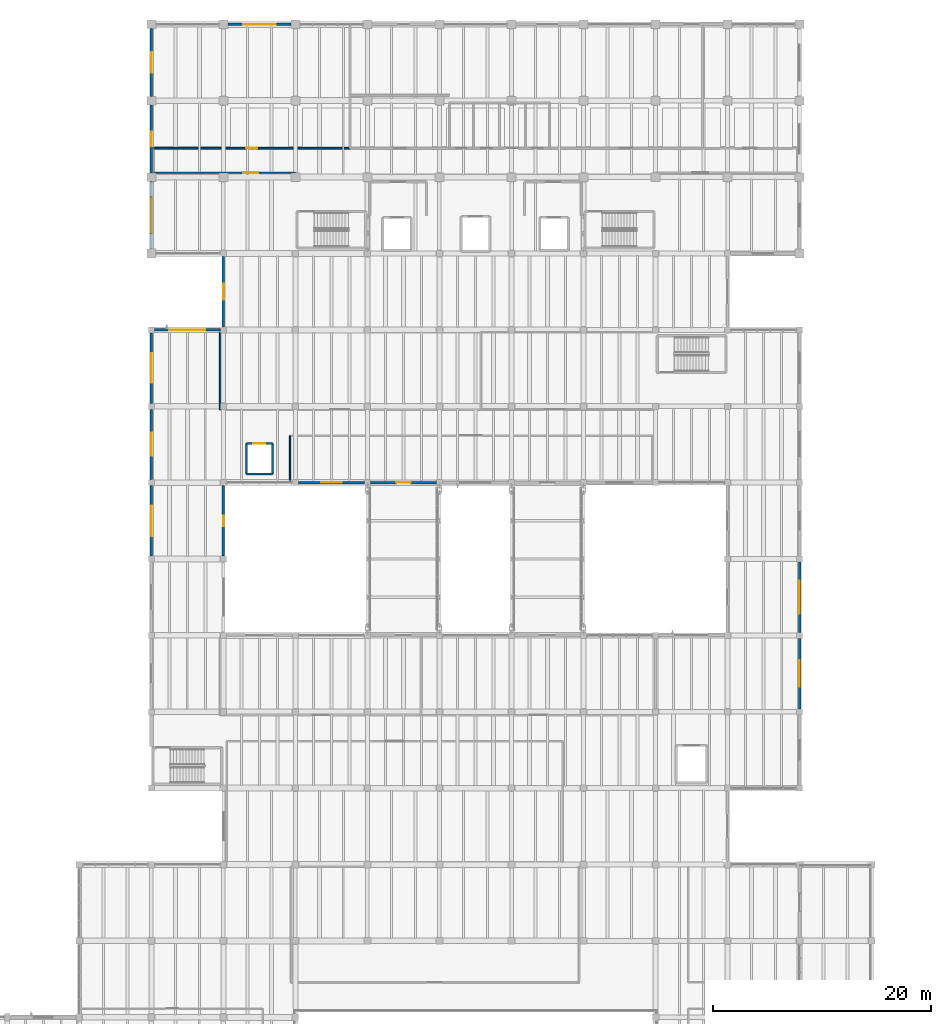
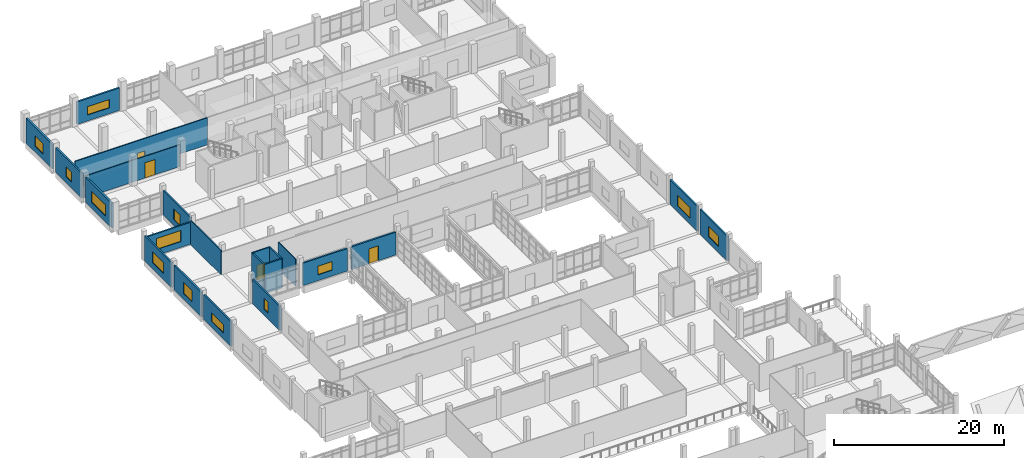
# One storey, part 52 of 67: 22 walls, 13 windows, 4 doors, 17 openings.
"""IFC4 building model written with IfcOpenShell, lengths in metres."""

from ifc_helpers import new_model, si_unit, direction, frame, frame_2d, origin, place, context, subcontext, project, spatial, rectangle, extrude, material, layer, layer_set, type_object, element, fill, save


model = new_model("IFC4")

# Units and contexts
model_context = context("Model", 3, precision=1e-05, world=origin(), true_north=direction((0.0, 1.0)))
body_context = subcontext(model_context, "Body", "Model", "MODEL_VIEW")
ifc_project = project(units=[si_unit("LENGTHUNIT", "METRE"), si_unit("AREAUNIT", "SQUARE_METRE"), si_unit("VOLUMEUNIT", "CUBIC_METRE"), si_unit("PLANEANGLEUNIT", "RADIAN"), si_unit("MASSUNIT", "GRAM", prefix="KILO")], contexts=[model_context])

# Site, building, storey
site_placement = place(None, origin())
site = spatial("IfcSite", under=ifc_project, at=site_placement, CompositionType="ELEMENT")
building_placement = place(site_placement, origin())
building = spatial("IfcBuilding", under=site, at=building_placement, Name="Ciguamira Faculty of Natural Sciences", CompositionType="ELEMENT")
storey_placement = place(building_placement, frame((0.0, 0.0, 8.39990234375)))
storey = spatial("IfcBuildingStorey", under=building, at=storey_placement, Name="L02", CompositionType="ELEMENT", Elevation=8.39990234375)

# Wall, opening, window
ifc_material_1 = material(Name="Precast concrete C40/50", Category="concrete")
ifc_layer_1 = layer(ifc_material_1, 0.239990234375, Name="Precast concrete C40/50")
ifc_layer_set_1 = layer_set([ifc_layer_1], Name="Precast concrete C40/50")
wall_type_1 = type_object("IfcWallType", Name="ExtWall_EW-02_240", PredefinedType="SOLIDWALL", material=ifc_layer_set_1)
wall_1_placement = place(storey_placement, frame((64.300048828125, 115.0, 0.0), z_axis=(0.0, 0.0, 1.0), x_axis=(1.0, 0.0, 0.0)))
wall_1 = element("IfcWall", 1, at=wall_1_placement, inside=storey, type_object=wall_type_1, Name="L02 exterior wall 0227", PredefinedType="SOLIDWALL", context=body_context, shape_type="SweptSolid", body=[
    extrude(rectangle(XDim=5.800048828125, YDim=0.239990234375, at=frame_2d((2.89990234375, 0.0))), origin(), (0.0, 0.0, 1.0), 3.235107421875),
])
opening_1_placement = place(wall_1_placement, frame((1.39990234375, 0.0, 0.85009765625)))
opening_1 = element("IfcOpeningElement", 2, at=opening_1_placement, cuts=wall_1, Name="Opening WT-33", PredefinedType="OPENING", context=body_context, shape_type="SweptSolid", body=[
    extrude(rectangle(XDim=3.0, YDim=1.199951171875, at=frame_2d((1.5, 0.60009765625))), frame((0.0, 0.1298828125, 0.0), z_axis=(0.0, -1.0, 0.0), x_axis=(1.0, 0.0, 0.0)), (0.0, 0.0, 1.0), 0.260009765625),
])
ifc_material_2 = material(Name="Hurricane laminated solar glass", Category="glass")
window_type_1 = type_object("IfcWindowType", Name="Window_WT-33_3000x1200", PartitioningType="DOUBLE_PANEL_VERTICAL", PredefinedType="WINDOW", material=ifc_material_2)
window_1_placement = place(opening_1_placement, origin())
window_1 = element("IfcWindow", 3, at=window_1_placement, inside=storey, type_object=window_type_1, Name="L02 facade window 0134", OverallHeight=1.199951171875, OverallWidth=3.0, PartitioningType="SINGLE_PANEL", PredefinedType="WINDOW", context=body_context, shape_type="SweptSolid", body=[
    extrude(rectangle(XDim=3.0, YDim=1.199951171875, at=frame_2d((1.5, 0.60009765625))), frame((0.0, 0.030029296875, 0.0), z_axis=(0.0, -1.0, 0.0), x_axis=(1.0, 0.0, 0.0)), (0.0, 0.0, 1.0), 0.06005859375),
])
fill(opening_1, window_1)

wall_2_placement = place(storey_placement, frame((57.300048828125, 94.39990234375, 0.0), z_axis=(0.0, 0.0, 1.0), x_axis=(0.0, 1.0, 0.0)))
wall_2 = element("IfcWall", 4, at=wall_2_placement, inside=storey, type_object=wall_type_1, Name="L02 exterior wall 0241", PredefinedType="SOLIDWALL", context=body_context, shape_type="SweptSolid", body=[
    extrude(rectangle(XDim=6.2001953125, YDim=0.239990234375, at=frame_2d((3.10009765625, 0.0))), origin(), (0.0, 0.0, 1.0), 3.565185546875),
])
opening_2_placement = place(wall_2_placement, frame((1.449951171875, 0.0, 0.85009765625)))
opening_2 = element("IfcOpeningElement", 5, at=opening_2_placement, cuts=wall_2, Name="Opening WT-26", PredefinedType="OPENING", context=body_context, shape_type="SweptSolid", body=[
    extrude(rectangle(XDim=3.300048828125, YDim=1.60009765625, at=frame_2d((1.64990234375, 0.800048828125))), frame((0.0, 0.1298828125, 0.0), z_axis=(0.0, -1.0, 0.0), x_axis=(1.0, 0.0, 0.0)), (0.0, 0.0, 1.0), 0.260009765625),
])
window_type_2 = type_object("IfcWindowType", Name="Window_WT-26_3300x1600", PartitioningType="DOUBLE_PANEL_VERTICAL", PredefinedType="WINDOW", material=ifc_material_2)
window_2_placement = place(opening_2_placement, origin())
window_2 = element("IfcWindow", 6, at=window_2_placement, inside=storey, type_object=window_type_2, Name="L02 facade window 0147", OverallHeight=1.60009765625, OverallWidth=3.300048828125, PartitioningType="SINGLE_PANEL", PredefinedType="WINDOW", context=body_context, shape_type="SweptSolid", body=[
    extrude(rectangle(XDim=3.300048828125, YDim=1.60009765625, at=frame_2d((1.64990234375, 0.800048828125))), frame((0.0, 0.030029296875, 0.0), z_axis=(0.0, -1.0, 0.0), x_axis=(1.0, 0.0, 0.0)), (0.0, 0.0, 1.0), 0.06005859375),
])
fill(opening_2, window_2)

wall_3_placement = place(storey_placement, frame((57.300048828125, 101.39990234375, 0.0), z_axis=(0.0, 0.0, 1.0), x_axis=(0.0, 1.0, 0.0)))
wall_3 = element("IfcWall", 7, at=wall_3_placement, inside=storey, type_object=wall_type_1, Name="L02 exterior wall 0242", PredefinedType="SOLIDWALL", context=body_context, shape_type="SweptSolid", body=[
    extrude(rectangle(XDim=6.2001953125, YDim=0.239990234375, at=frame_2d((3.10009765625, 0.0))), origin(), (0.0, 0.0, 1.0), 3.565185546875),
])
opening_3_placement = place(wall_3_placement, frame((2.449951171875, 0.0, 0.85009765625)))
opening_3 = element("IfcOpeningElement", 8, at=opening_3_placement, cuts=wall_3, Name="Opening WT-28", PredefinedType="OPENING", context=body_context, shape_type="SweptSolid", body=[
    extrude(rectangle(XDim=1.300048828125, YDim=1.449951171875, at=frame_2d((0.64990234375, 0.72509765625))), frame((0.0, 0.1298828125, 0.0), z_axis=(0.0, -1.0, 0.0), x_axis=(1.0, 0.0, 0.0)), (0.0, 0.0, 1.0), 0.260009765625),
])
window_type_3 = type_object("IfcWindowType", Name="Window_WT-28_1300x1450", PartitioningType="DOUBLE_PANEL_VERTICAL", PredefinedType="WINDOW", material=ifc_material_2)
window_3_placement = place(opening_3_placement, origin())
window_3 = element("IfcWindow", 9, at=window_3_placement, inside=storey, type_object=window_type_3, Name="L02 facade window 0148", OverallHeight=1.449951171875, OverallWidth=1.300048828125, PartitioningType="SINGLE_PANEL", PredefinedType="WINDOW", context=body_context, shape_type="SweptSolid", body=[
    extrude(rectangle(XDim=1.300048828125, YDim=1.449951171875, at=frame_2d((0.64990234375, 0.72509765625))), frame((0.0, 0.030029296875, 0.0), z_axis=(0.0, -1.0, 0.0), x_axis=(1.0, 0.0, 0.0)), (0.0, 0.0, 1.0), 0.06005859375),
])
fill(opening_3, window_3)

wall_4_placement = place(storey_placement, frame((57.300048828125, 108.39990234375, 0.0), z_axis=(0.0, 0.0, 1.0), x_axis=(0.0, 1.0, 0.0)))
wall_4 = element("IfcWall", 10, at=wall_4_placement, inside=storey, type_object=wall_type_1, Name="L02 exterior wall 0243", PredefinedType="SOLIDWALL", context=body_context, shape_type="SweptSolid", body=[
    extrude(rectangle(XDim=6.2001953125, YDim=0.239990234375, at=frame_2d((3.10009765625, 0.0))), origin(), (0.0, 0.0, 1.0), 3.565185546875),
])
opening_4_placement = place(wall_4_placement, frame((2.14990234375, 0.0, 0.85009765625)))
opening_4 = element("IfcOpeningElement", 11, at=opening_4_placement, cuts=wall_4, Name="Opening WT-30", PredefinedType="OPENING", context=body_context, shape_type="SweptSolid", body=[
    extrude(rectangle(XDim=1.89990234375, YDim=1.449951171875, at=frame_2d((0.949951171875, 0.72509765625))), frame((0.0, 0.1298828125, 0.0), z_axis=(0.0, -1.0, 0.0), x_axis=(1.0, 0.0, 0.0)), (0.0, 0.0, 1.0), 0.260009765625),
])
window_type_4 = type_object("IfcWindowType", Name="Window_WT-30_1900x1450", PartitioningType="DOUBLE_PANEL_VERTICAL", PredefinedType="WINDOW", material=ifc_material_2)
window_4_placement = place(opening_4_placement, origin())
window_4 = element("IfcWindow", 12, at=window_4_placement, inside=storey, type_object=window_type_4, Name="L02 facade window 0149", OverallHeight=1.449951171875, OverallWidth=1.89990234375, PartitioningType="SINGLE_PANEL", PredefinedType="WINDOW", context=body_context, shape_type="SweptSolid", body=[
    extrude(rectangle(XDim=1.89990234375, YDim=1.449951171875, at=frame_2d((0.949951171875, 0.72509765625))), frame((0.0, 0.030029296875, 0.0), z_axis=(0.0, -1.0, 0.0), x_axis=(1.0, 0.0, 0.0)), (0.0, 0.0, 1.0), 0.06005859375),
])
fill(opening_4, window_4)

ifc_layer_2 = layer(ifc_material_1, 0.219970703125, Name="Precast concrete C40/50")
ifc_layer_set_2 = layer_set([ifc_layer_2], Name="Precast concrete C40/50")
wall_type_2 = type_object("IfcWallType", Name="ExtWall_EW-03_220", PredefinedType="SOLIDWALL", material=ifc_layer_set_2)
wall_5_placement = place(storey_placement, frame((70.77490234375, 73.0, 0.0), z_axis=(0.0, 0.0, 1.0), x_axis=(1.0, 0.0, 0.0)))
wall_5 = element("IfcWall", 13, at=wall_5_placement, inside=storey, type_object=wall_type_2, Name="L02 exterior wall 0220", PredefinedType="SOLIDWALL", context=body_context, shape_type="SweptSolid", body=[
    extrude(rectangle(XDim=6.050048828125, YDim=0.219970703125, at=frame_2d((3.02490234375, 0.0))), origin(), (0.0, 0.0, 1.0), 3.235107421875),
])
opening_5_placement = place(wall_5_placement, frame((2.074951171875, 0.0, 0.85009765625)))
opening_5 = element("IfcOpeningElement", 14, at=opening_5_placement, cuts=wall_5, Name="Opening WT-17", PredefinedType="OPENING", context=body_context, shape_type="SweptSolid", body=[
    extrude(rectangle(XDim=1.89990234375, YDim=1.25, at=frame_2d((0.949951171875, 0.625))), frame((0.0, 0.119873046875, 0.0), z_axis=(0.0, -1.0, 0.0), x_axis=(1.0, 0.0, 0.0)), (0.0, 0.0, 1.0), 0.239990234375),
])
window_type_5 = type_object("IfcWindowType", Name="Window_WT-17_1900x1250", PartitioningType="DOUBLE_PANEL_VERTICAL", PredefinedType="WINDOW", material=ifc_material_2)
window_5_placement = place(opening_5_placement, origin())
window_5 = element("IfcWindow", 15, at=window_5_placement, inside=storey, type_object=window_type_5, Name="L02 facade window 0129", OverallHeight=1.25, OverallWidth=1.89990234375, PartitioningType="SINGLE_PANEL", PredefinedType="WINDOW", context=body_context, shape_type="SweptSolid", body=[
    extrude(rectangle(XDim=1.89990234375, YDim=1.25, at=frame_2d((0.949951171875, 0.625))), frame((0.0, 0.030029296875, 0.0), z_axis=(0.0, -1.0, 0.0), x_axis=(1.0, 0.0, 0.0)), (0.0, 0.0, 1.0), 0.06005859375),
])
fill(opening_5, window_5)

# Wall, opening, door
wall_6_placement = place(storey_placement, frame((77.375, 73.0, 0.0), z_axis=(0.0, 0.0, 1.0), x_axis=(1.0, 0.0, 0.0)))
wall_6 = element("IfcWall", 16, at=wall_6_placement, inside=storey, type_object=wall_type_2, Name="L02 exterior wall 0221", PredefinedType="SOLIDWALL", context=body_context, shape_type="SweptSolid", body=[
    extrude(rectangle(XDim=6.050048828125, YDim=0.219970703125, at=frame_2d((3.02490234375, 0.0))), origin(), (0.0, 0.0, 1.0), 3.28515625),
])
opening_6_placement = place(wall_6_placement, frame((2.375, 0.0, 0.0)))
opening_6 = element("IfcOpeningElement", 17, at=opening_6_placement, cuts=wall_6, Name="Opening ED-08", PredefinedType="OPENING", context=body_context, shape_type="SweptSolid", body=[
    extrude(rectangle(XDim=1.300048828125, YDim=2.14990234375, at=frame_2d((0.64990234375, 1.074951171875))), frame((0.0, 0.119873046875, 0.0), z_axis=(0.0, -1.0, 0.0), x_axis=(1.0, 0.0, 0.0)), (0.0, 0.0, 1.0), 0.239990234375),
])
ifc_material_3 = material(Name="Link bridge fire threshold door")
door_type_1 = type_object("IfcDoorType", Name="ExtDoor_ED-08_1300x2150", OperationType="NOTDEFINED", PredefinedType="DOOR", material=ifc_material_3)
door_1_placement = place(opening_6_placement, frame((1.300048828125, 0.0, 0.0), z_axis=(0.0, 0.0, 1.0), x_axis=(-1.0, 0.0, 0.0)))
door_1 = element("IfcDoor", 18, at=door_1_placement, inside=storey, type_object=door_type_1, Name="Bridge BR-1 North Threshold Door", OperationType="DOUBLE_DOOR_SINGLE_SWING", OverallHeight=2.14990234375, OverallWidth=1.300048828125, PredefinedType="DOOR", context=body_context, shape_type="SweptSolid", body=[
    extrude(rectangle(XDim=1.300048828125, YDim=2.14990234375, at=frame_2d((0.64990234375, 1.074951171875))), frame((0.0, 0.02490234375, 0.0), z_axis=(0.0, -1.0, 0.0), x_axis=(1.0, 0.0, 0.0)), (0.0, 0.0, 1.0), 0.050048828125),
])
fill(opening_6, door_1)

# Wall, opening, window
wall_7_placement = place(storey_placement, frame((57.574951171875, 87.0, 0.0), z_axis=(0.0, 0.0, 1.0), x_axis=(1.0, 0.0, 0.0)))
wall_7 = element("IfcWall", 19, at=wall_7_placement, inside=storey, type_object=wall_type_2, Name="L02 exterior wall 0225", PredefinedType="SOLIDWALL", context=body_context, shape_type="SweptSolid", body=[
    extrude(rectangle(XDim=6.050048828125, YDim=0.219970703125, at=frame_2d((3.02490234375, 0.0))), origin(), (0.0, 0.0, 1.0), 3.135009765625),
])
opening_7_placement = place(wall_7_placement, frame((1.375, 0.0, 0.85009765625)))
opening_7 = element("IfcOpeningElement", 20, at=opening_7_placement, cuts=wall_7, Name="Opening WT-26", PredefinedType="OPENING", context=body_context, shape_type="SweptSolid", body=[
    extrude(rectangle(XDim=3.300048828125, YDim=1.60009765625, at=frame_2d((1.64990234375, 0.800048828125))), frame((0.0, 0.119873046875, 0.0), z_axis=(0.0, -1.0, 0.0), x_axis=(1.0, 0.0, 0.0)), (0.0, 0.0, 1.0), 0.239990234375),
])
window_6_placement = place(opening_7_placement, origin())
window_6 = element("IfcWindow", 21, at=window_6_placement, inside=storey, type_object=window_type_2, Name="L02 facade window 0132", OverallHeight=1.60009765625, OverallWidth=3.300048828125, PartitioningType="SINGLE_PANEL", PredefinedType="WINDOW", context=body_context, shape_type="SweptSolid", body=[
    extrude(rectangle(XDim=3.300048828125, YDim=1.60009765625, at=frame_2d((1.64990234375, 0.800048828125))), frame((0.0, 0.030029296875, 0.0), z_axis=(0.0, -1.0, 0.0), x_axis=(1.0, 0.0, 0.0)), (0.0, 0.0, 1.0), 0.06005859375),
])
fill(opening_7, window_6)

wall_8_placement = place(storey_placement, frame((57.300048828125, 66.27490234375, 0.0), z_axis=(0.0, 0.0, 1.0), x_axis=(0.0, 1.0, 0.0)))
wall_8 = element("IfcWall", 22, at=wall_8_placement, inside=storey, type_object=wall_type_2, Name="L02 exterior wall 0238", PredefinedType="SOLIDWALL", context=body_context, shape_type="SweptSolid", body=[
    extrude(rectangle(XDim=6.4501953125, YDim=0.219970703125, at=frame_2d((3.22509765625, 0.0))), origin(), (0.0, 0.0, 1.0), 3.565185546875),
])
opening_8_placement = place(wall_8_placement, frame((1.824951171875, 0.0, 0.85009765625)))
opening_8 = element("IfcOpeningElement", 23, at=opening_8_placement, cuts=wall_8, Name="Opening WT-20", PredefinedType="OPENING", context=body_context, shape_type="SweptSolid", body=[
    extrude(rectangle(XDim=2.800048828125, YDim=1.25, at=frame_2d((1.39990234375, 0.625))), frame((0.0, 0.119873046875, 0.0), z_axis=(0.0, -1.0, 0.0), x_axis=(1.0, 0.0, 0.0)), (0.0, 0.0, 1.0), 0.239990234375),
])
window_type_6 = type_object("IfcWindowType", Name="Window_WT-20_2800x1250", PartitioningType="DOUBLE_PANEL_VERTICAL", PredefinedType="WINDOW", material=ifc_material_2)
window_7_placement = place(opening_8_placement, origin())
window_7 = element("IfcWindow", 24, at=window_7_placement, inside=storey, type_object=window_type_6, Name="L02 facade window 0144", OverallHeight=1.25, OverallWidth=2.800048828125, PartitioningType="SINGLE_PANEL", PredefinedType="WINDOW", context=body_context, shape_type="SweptSolid", body=[
    extrude(rectangle(XDim=2.800048828125, YDim=1.25, at=frame_2d((1.39990234375, 0.625))), frame((0.0, 0.030029296875, 0.0), z_axis=(0.0, -1.0, 0.0), x_axis=(1.0, 0.0, 0.0)), (0.0, 0.0, 1.0), 0.06005859375),
])
fill(opening_8, window_7)

wall_9_placement = place(storey_placement, frame((57.300048828125, 73.27490234375, 0.0), z_axis=(0.0, 0.0, 1.0), x_axis=(0.0, 1.0, 0.0)))
wall_9 = element("IfcWall", 25, at=wall_9_placement, inside=storey, type_object=wall_type_2, Name="L02 exterior wall 0239", PredefinedType="SOLIDWALL", context=body_context, shape_type="SweptSolid", body=[
    extrude(rectangle(XDim=6.4501953125, YDim=0.219970703125, at=frame_2d((3.22509765625, 0.0))), origin(), (0.0, 0.0, 1.0), 3.565185546875),
])
opening_9_placement = place(wall_9_placement, frame((2.175048828125, 0.0, 0.85009765625)))
opening_9 = element("IfcOpeningElement", 26, at=opening_9_placement, cuts=wall_9, Name="Opening WT-22", PredefinedType="OPENING", context=body_context, shape_type="SweptSolid", body=[
    extrude(rectangle(XDim=2.10009765625, YDim=1.60009765625, at=frame_2d((1.050048828125, 0.800048828125))), frame((0.0, 0.119873046875, 0.0), z_axis=(0.0, -1.0, 0.0), x_axis=(1.0, 0.0, 0.0)), (0.0, 0.0, 1.0), 0.239990234375),
])
window_type_7 = type_object("IfcWindowType", Name="Window_WT-22_2100x1600", PartitioningType="DOUBLE_PANEL_VERTICAL", PredefinedType="WINDOW", material=ifc_material_2)
window_8_placement = place(opening_9_placement, origin())
window_8 = element("IfcWindow", 27, at=window_8_placement, inside=storey, type_object=window_type_7, Name="L02 facade window 0145", OverallHeight=1.60009765625, OverallWidth=2.10009765625, PartitioningType="SINGLE_PANEL", PredefinedType="WINDOW", context=body_context, shape_type="SweptSolid", body=[
    extrude(rectangle(XDim=2.10009765625, YDim=1.60009765625, at=frame_2d((1.050048828125, 0.800048828125))), frame((0.0, 0.030029296875, 0.0), z_axis=(0.0, -1.0, 0.0), x_axis=(1.0, 0.0, 0.0)), (0.0, 0.0, 1.0), 0.06005859375),
])
fill(opening_9, window_8)

wall_10_placement = place(storey_placement, frame((57.300048828125, 80.27490234375, 0.0), z_axis=(0.0, 0.0, 1.0), x_axis=(0.0, 1.0, 0.0)))
wall_10 = element("IfcWall", 28, at=wall_10_placement, inside=storey, type_object=wall_type_2, Name="L02 exterior wall 0240", PredefinedType="SOLIDWALL", context=body_context, shape_type="SweptSolid", body=[
    extrude(rectangle(XDim=6.4501953125, YDim=0.219970703125, at=frame_2d((3.22509765625, 0.0))), origin(), (0.0, 0.0, 1.0), 3.565185546875),
])
opening_10_placement = place(wall_10_placement, frame((1.875, 0.0, 0.85009765625)))
opening_10 = element("IfcOpeningElement", 29, at=opening_10_placement, cuts=wall_10, Name="Opening WT-24", PredefinedType="OPENING", context=body_context, shape_type="SweptSolid", body=[
    extrude(rectangle(XDim=2.699951171875, YDim=1.60009765625, at=frame_2d((1.35009765625, 0.800048828125))), frame((0.0, 0.119873046875, 0.0), z_axis=(0.0, -1.0, 0.0), x_axis=(1.0, 0.0, 0.0)), (0.0, 0.0, 1.0), 0.239990234375),
])
window_type_8 = type_object("IfcWindowType", Name="Window_WT-24_2700x1600", PartitioningType="DOUBLE_PANEL_VERTICAL", PredefinedType="WINDOW", material=ifc_material_2)
window_9_placement = place(opening_10_placement, origin())
window_9 = element("IfcWindow", 30, at=window_9_placement, inside=storey, type_object=window_type_8, Name="L02 facade window 0146", OverallHeight=1.60009765625, OverallWidth=2.699951171875, PartitioningType="SINGLE_PANEL", PredefinedType="WINDOW", context=body_context, shape_type="SweptSolid", body=[
    extrude(rectangle(XDim=2.699951171875, YDim=1.60009765625, at=frame_2d((1.35009765625, 0.800048828125))), frame((0.0, 0.030029296875, 0.0), z_axis=(0.0, -1.0, 0.0), x_axis=(1.0, 0.0, 0.0)), (0.0, 0.0, 1.0), 0.06005859375),
])
fill(opening_10, window_9)

wall_11_placement = place(storey_placement, frame((63.89990234375, 66.27490234375, 0.0), z_axis=(0.0, 0.0, 1.0), x_axis=(0.0, 1.0, 0.0)))
wall_11 = element("IfcWall", 31, at=wall_11_placement, inside=storey, type_object=wall_type_2, Name="L02 exterior wall 0246", PredefinedType="SOLIDWALL", context=body_context, shape_type="SweptSolid", body=[
    extrude(rectangle(XDim=6.4501953125, YDim=0.219970703125, at=frame_2d((3.22509765625, 0.0))), origin(), (0.0, 0.0, 1.0), 3.505126953125),
])
opening_11_placement = place(wall_11_placement, frame((2.75, 0.0, 0.85009765625)))
opening_11 = element("IfcOpeningElement", 32, at=opening_11_placement, cuts=wall_11, Name="Opening WT-36", PredefinedType="OPENING", context=body_context, shape_type="SweptSolid", body=[
    extrude(rectangle(XDim=0.949951171875, YDim=1.550048828125, at=frame_2d((0.47509765625, 0.77490234375))), frame((0.0, 0.119873046875, 0.0), z_axis=(0.0, -1.0, 0.0), x_axis=(1.0, 0.0, 0.0)), (0.0, 0.0, 1.0), 0.239990234375),
])
window_type_9 = type_object("IfcWindowType", Name="Window_WT-36_950x1550", PartitioningType="DOUBLE_PANEL_VERTICAL", PredefinedType="WINDOW", material=ifc_material_2)
window_10_placement = place(opening_11_placement, origin())
window_10 = element("IfcWindow", 33, at=window_10_placement, inside=storey, type_object=window_type_9, Name="L02 facade window 0152", OverallHeight=1.550048828125, OverallWidth=0.949951171875, PartitioningType="SINGLE_PANEL", PredefinedType="WINDOW", context=body_context, shape_type="SweptSolid", body=[
    extrude(rectangle(XDim=0.949951171875, YDim=1.550048828125, at=frame_2d((0.47509765625, 0.77490234375))), frame((0.0, 0.030029296875, 0.0), z_axis=(0.0, -1.0, 0.0), x_axis=(1.0, 0.0, 0.0)), (0.0, 0.0, 1.0), 0.06005859375),
])
fill(opening_11, window_10)

wall_12_placement = place(storey_placement, frame((63.89990234375, 87.27490234375, 0.0), z_axis=(0.0, 0.0, 1.0), x_axis=(0.0, 1.0, 0.0)))
wall_12 = element("IfcWall", 34, at=wall_12_placement, inside=storey, type_object=wall_type_2, Name="L02 exterior wall 0247", PredefinedType="SOLIDWALL", context=body_context, shape_type="SweptSolid", body=[
    extrude(rectangle(XDim=6.4501953125, YDim=0.219970703125, at=frame_2d((3.22509765625, 0.0))), origin(), (0.0, 0.0, 1.0), 3.505126953125),
])
opening_12_placement = place(wall_12_placement, frame((2.5, 0.0, 0.85009765625)))
opening_12 = element("IfcOpeningElement", 35, at=opening_12_placement, cuts=wall_12, Name="Opening WT-38", PredefinedType="OPENING", context=body_context, shape_type="SweptSolid", body=[
    extrude(rectangle(XDim=1.449951171875, YDim=1.550048828125, at=frame_2d((0.72509765625, 0.77490234375))), frame((0.0, 0.119873046875, 0.0), z_axis=(0.0, -1.0, 0.0), x_axis=(1.0, 0.0, 0.0)), (0.0, 0.0, 1.0), 0.239990234375),
])
window_type_10 = type_object("IfcWindowType", Name="Window_WT-38_1450x1550", PartitioningType="DOUBLE_PANEL_VERTICAL", PredefinedType="WINDOW", material=ifc_material_2)
window_11_placement = place(opening_12_placement, origin())
window_11 = element("IfcWindow", 36, at=window_11_placement, inside=storey, type_object=window_type_10, Name="L02 facade window 0153", OverallHeight=1.550048828125, OverallWidth=1.449951171875, PartitioningType="SINGLE_PANEL", PredefinedType="WINDOW", context=body_context, shape_type="SweptSolid", body=[
    extrude(rectangle(XDim=1.449951171875, YDim=1.550048828125, at=frame_2d((0.72509765625, 0.77490234375))), frame((0.0, 0.030029296875, 0.0), z_axis=(0.0, -1.0, 0.0), x_axis=(1.0, 0.0, 0.0)), (0.0, 0.0, 1.0), 0.06005859375),
])
fill(opening_12, window_11)

wall_13_placement = place(storey_placement, frame((116.699951171875, 52.27490234375, 0.0), z_axis=(0.0, 0.0, 1.0), x_axis=(0.0, 1.0, 0.0)))
wall_13 = element("IfcWall", 37, at=wall_13_placement, inside=storey, type_object=wall_type_2, Name="L02 exterior wall 0254", PredefinedType="SOLIDWALL", context=body_context, shape_type="SweptSolid", body=[
    extrude(rectangle(XDim=6.4501953125, YDim=0.219970703125, at=frame_2d((3.22509765625, 0.0))), origin(), (0.0, 0.0, 1.0), 3.565185546875),
])
opening_13_placement = place(wall_13_placement, frame((2.02490234375, 0.0, 0.85009765625)))
opening_13 = element("IfcOpeningElement", 38, at=opening_13_placement, cuts=wall_13, Name="Opening WT-12", PredefinedType="OPENING", context=body_context, shape_type="SweptSolid", body=[
    extrude(rectangle(XDim=2.39990234375, YDim=1.5, at=frame_2d((1.199951171875, 0.75))), frame((0.0, 0.119873046875, 0.0), z_axis=(0.0, -1.0, 0.0), x_axis=(1.0, 0.0, 0.0)), (0.0, 0.0, 1.0), 0.239990234375),
])
window_type_11 = type_object("IfcWindowType", Name="Window_WT-12_2400x1500", PartitioningType="DOUBLE_PANEL_VERTICAL", PredefinedType="WINDOW", material=ifc_material_2)
window_12_placement = place(opening_13_placement, origin())
window_12 = element("IfcWindow", 39, at=window_12_placement, inside=storey, type_object=window_type_11, Name="L02 facade window 0159", OverallHeight=1.5, OverallWidth=2.39990234375, PartitioningType="SINGLE_PANEL", PredefinedType="WINDOW", context=body_context, shape_type="SweptSolid", body=[
    extrude(rectangle(XDim=2.39990234375, YDim=1.5, at=frame_2d((1.199951171875, 0.75))), frame((0.0, 0.030029296875, 0.0), z_axis=(0.0, -1.0, 0.0), x_axis=(1.0, 0.0, 0.0)), (0.0, 0.0, 1.0), 0.06005859375),
])
fill(opening_13, window_12)

wall_14_placement = place(storey_placement, frame((116.699951171875, 59.27490234375, 0.0), z_axis=(0.0, 0.0, 1.0), x_axis=(0.0, 1.0, 0.0)))
wall_14 = element("IfcWall", 40, at=wall_14_placement, inside=storey, type_object=wall_type_2, Name="L02 exterior wall 0255", PredefinedType="SOLIDWALL", context=body_context, shape_type="SweptSolid", body=[
    extrude(rectangle(XDim=6.4501953125, YDim=0.219970703125, at=frame_2d((3.22509765625, 0.0))), origin(), (0.0, 0.0, 1.0), 3.565185546875),
])
opening_14_placement = place(wall_14_placement, frame((1.72509765625, 0.0, 0.85009765625)))
opening_14 = element("IfcOpeningElement", 41, at=opening_14_placement, cuts=wall_14, Name="Opening WT-14", PredefinedType="OPENING", context=body_context, shape_type="SweptSolid", body=[
    extrude(rectangle(XDim=3.0, YDim=1.5, at=frame_2d((1.5, 0.75))), frame((0.0, 0.119873046875, 0.0), z_axis=(0.0, -1.0, 0.0), x_axis=(1.0, 0.0, 0.0)), (0.0, 0.0, 1.0), 0.239990234375),
])
window_type_12 = type_object("IfcWindowType", Name="Window_WT-14_3000x1500", PartitioningType="DOUBLE_PANEL_VERTICAL", PredefinedType="WINDOW", material=ifc_material_2)
window_13_placement = place(opening_14_placement, origin())
window_13 = element("IfcWindow", 42, at=window_13_placement, inside=storey, type_object=window_type_12, Name="L02 facade window 0160", OverallHeight=1.5, OverallWidth=3.0, PartitioningType="SINGLE_PANEL", PredefinedType="WINDOW", context=body_context, shape_type="SweptSolid", body=[
    extrude(rectangle(XDim=3.0, YDim=1.5, at=frame_2d((1.5, 0.75))), frame((0.0, 0.030029296875, 0.0), z_axis=(0.0, -1.0, 0.0), x_axis=(1.0, 0.0, 0.0)), (0.0, 0.0, 1.0), 0.06005859375),
])
fill(opening_14, window_13)

# Wall
ifc_material_4 = material(Name="Concrete C40/50", Category="concrete")
ifc_layer_3 = layer(ifc_material_4, 0.199951171875, Name="Concrete C40/50")
ifc_layer_set_3 = layer_set([ifc_layer_3], Name="Concrete C40/50")
wall_type_3 = type_object("IfcWallType", Name="IntWall_CW-S20_200", PredefinedType="SHEAR", material=ifc_layer_set_3)
wall_15_placement = place(storey_placement, frame((66.0, 73.800048828125, 0.0), z_axis=(0.0, 0.0, 1.0), x_axis=(1.0, 0.0, 0.0)))
element("IfcWall", 43, at=wall_15_placement, inside=storey, type_object=wall_type_3, Name="L02 EL-P4 hoistway wall south", PredefinedType="SHEAR", context=body_context, shape_type="SweptSolid", body=[
    extrude(rectangle(XDim=2.39990234375, YDim=0.199951171875, at=frame_2d((1.199951171875, 0.0))), origin(), (0.0, 0.0, 1.0), 4.2001953125),
])

# Wall, opening, door
wall_16_placement = place(storey_placement, frame((66.0, 76.60009765625, 0.0), z_axis=(0.0, 0.0, 1.0), x_axis=(1.0, 0.0, 0.0)))
wall_16 = element("IfcWall", 44, at=wall_16_placement, inside=storey, type_object=wall_type_3, Name="L02 EL-P4 hoistway wall north", PredefinedType="SHEAR", context=body_context, shape_type="SweptSolid", body=[
    extrude(rectangle(XDim=2.39990234375, YDim=0.199951171875, at=frame_2d((1.199951171875, 0.0))), origin(), (0.0, 0.0, 1.0), 4.2001953125),
])
opening_15_placement = place(wall_16_placement, frame((0.64990234375, 0.0, 0.0)))
opening_15 = element("IfcOpeningElement", 45, at=opening_15_placement, cuts=wall_16, Name="Opening LD-01", PredefinedType="OPENING", context=body_context, shape_type="SweptSolid", body=[
    extrude(rectangle(XDim=1.10009765625, YDim=2.14990234375, at=frame_2d((0.550048828125, 1.074951171875))), frame((0.0, 0.10986328125, 0.0), z_axis=(0.0, -1.0, 0.0), x_axis=(1.0, 0.0, 0.0)), (0.0, 0.0, 1.0), 0.219970703125),
])
ifc_material_5 = material(Name="Passenger elevator sliding landing door")
door_type_2 = type_object("IfcDoorType", Name="LiftLandingDoor_LD-01_1100x2150", OperationType="SLIDING_TO_LEFT", PredefinedType="DOOR", material=ifc_material_5)
door_2_placement = place(opening_15_placement, origin())
door_2 = element("IfcDoor", 46, at=door_2_placement, inside=storey, type_object=door_type_2, Name="L02 EL-P4 elevator landing sliding door", OperationType="SLIDING_TO_LEFT", OverallHeight=2.14990234375, OverallWidth=1.10009765625, PredefinedType="DOOR", context=body_context, shape_type="SweptSolid", body=[
    extrude(rectangle(XDim=1.10009765625, YDim=2.14990234375, at=frame_2d((0.550048828125, 1.074951171875))), frame((0.0, 0.02490234375, 0.0), z_axis=(0.0, -1.0, 0.0), x_axis=(1.0, 0.0, 0.0)), (0.0, 0.0, 1.0), 0.050048828125),
])
fill(opening_15, door_2)

# Walls
for number, where, z_axis, x_axis, name in (
    (47, (66.0, 73.800048828125, 0.0), (0.0, 0.0, 1.0), (0.0, 1.0, 0.0), "L02 EL-P4 hoistway wall west"),
    (48, (68.39990234375, 73.800048828125, 0.0), (0.0, 0.0, 1.0), (0.0, 1.0, 0.0), "L02 EL-P4 hoistway wall east"),
):
    element("IfcWall", number, at=place(storey_placement, frame(where, z_axis=z_axis, x_axis=x_axis)), inside=storey, type_object=wall_type_3, Name=name, PredefinedType="SHEAR", context=body_context, shape_type="SweptSolid", body=[
        extrude(rectangle(XDim=2.800048828125, YDim=0.199951171875, at=frame_2d((1.39990234375, 0.0))), origin(), (0.0, 0.0, 1.0), 4.2001953125),
    ])
ifc_material_6 = material(Name="Fire-rated gypsum partition")
ifc_layer_4 = layer(ifc_material_6, 0.10009765625, Name="Fire-rated gypsum partition")
ifc_layer_set_4 = layer_set([ifc_layer_4], Name="Fire-rated gypsum partition")
wall_type_4 = type_object("IfcWallType", Name="IntWall_IW-A10_100", PredefinedType="PARTITIONING", material=ifc_layer_set_4)
wall_17_placement = place(storey_placement, frame((70.0, 73.199951171875, 0.0), z_axis=(0.0, 0.0, 1.0), x_axis=(0.0, 1.0, 0.0)))
element("IfcWall", 49, at=wall_17_placement, inside=storey, type_object=wall_type_4, Name="L02 L02 Court Overlook Write-Up Studio partition west", PredefinedType="PARTITIONING", context=body_context, shape_type="SweptSolid", body=[
    extrude(rectangle(XDim=4.10009765625, YDim=0.10009765625, at=frame_2d((2.050048828125, 0.0))), origin(), (0.0, 0.0, 1.0), 3.900146484375),
])

# Wall, opening, door
ifc_material_7 = material(Name="Acoustic double-stud gypsum partition")
ifc_layer_5 = layer(ifc_material_7, 0.1201171875, Name="Acoustic double-stud gypsum partition")
ifc_layer_set_5 = layer_set([ifc_layer_5], Name="Acoustic double-stud gypsum partition")
wall_type_5 = type_object("IfcWallType", Name="IntWall_IW-A12_120", PredefinedType="PARTITIONING", material=ifc_layer_set_5)
wall_18_placement = place(storey_placement, frame((57.5, 101.39990234375, 0.0), z_axis=(0.0, 0.0, 1.0), x_axis=(1.0, 0.0, 0.0)))
wall_18 = element("IfcWall", 50, at=wall_18_placement, inside=storey, type_object=wall_type_5, Name="L02 Bioinformatics Seminar Room partition north", PredefinedType="PARTITIONING", context=body_context, shape_type="SweptSolid", body=[
    extrude(rectangle(XDim=13.0, YDim=0.1201171875, at=frame_2d((6.5, 0.0))), origin(), (0.0, 0.0, 1.0), 3.135009765625),
])
opening_16_placement = place(wall_18_placement, frame((8.22509765625, 0.0, 0.0)))
opening_16 = element("IfcOpeningElement", 51, at=opening_16_placement, cuts=wall_18, Name="Opening ID-07", PredefinedType="OPENING", context=body_context, shape_type="SweptSolid", body=[
    extrude(rectangle(XDim=1.35009765625, YDim=2.199951171875, at=frame_2d((0.675048828125, 1.10009765625))), frame((0.0, 0.070068359375, 0.0), z_axis=(0.0, -1.0, 0.0), x_axis=(1.0, 0.0, 0.0)), (0.0, 0.0, 1.0), 0.14013671875),
])
ifc_material_8 = material(Name="Laboratory prep fire door")
door_type_3 = type_object("IfcDoorType", Name="IntDoor_ID-07_1350x2200", OperationType="NOTDEFINED", PredefinedType="DOOR", material=ifc_material_8)
door_3_placement = place(opening_16_placement, frame((1.35009765625, 0.0, 0.0), z_axis=(0.0, 0.0, 1.0), x_axis=(-1.0, 0.0, 0.0)))
door_3 = element("IfcDoor", 52, at=door_3_placement, inside=storey, type_object=door_type_3, Name="L02 Bioinformatics Seminar Room door", OperationType="SINGLE_SWING_LEFT", OverallHeight=2.199951171875, OverallWidth=1.35009765625, PredefinedType="DOOR", context=body_context, shape_type="SweptSolid", body=[
    extrude(rectangle(XDim=1.35009765625, YDim=2.199951171875, at=frame_2d((0.675048828125, 1.10009765625))), frame((0.0, 0.02490234375, 0.0), z_axis=(0.0, -1.0, 0.0), x_axis=(1.0, 0.0, 0.0)), (0.0, 0.0, 1.0), 0.050048828125),
])
fill(opening_16, door_3)

ifc_material_9 = material(Name="Acoustic laboratory corridor partition")
ifc_layer_6 = layer(ifc_material_9, 0.14990234375, Name="Acoustic laboratory corridor partition")
ifc_layer_set_6 = layer_set([ifc_layer_6], Name="Acoustic laboratory corridor partition")
wall_type_6 = type_object("IfcWallType", Name="IntWall_IW-G15_150", PredefinedType="PARTITIONING", material=ifc_layer_set_6)
wall_19_placement = place(storey_placement, frame((57.5, 103.64990234375, 0.0), z_axis=(0.0, 0.0, 1.0), x_axis=(1.0, 0.0, 0.0)))
wall_19 = element("IfcWall", 53, at=wall_19_placement, inside=storey, type_object=wall_type_6, Name="L02 Cellular Biology Research Laboratory partition south", PredefinedType="PARTITIONING", context=body_context, shape_type="SweptSolid", body=[
    extrude(rectangle(XDim=18.0, YDim=0.14990234375, at=frame_2d((9.0, 0.0))), origin(), (0.0, 0.0, 1.0), 3.900146484375),
])
opening_17_placement = place(wall_19_placement, frame((8.5, 0.0, 0.0)))
opening_17 = element("IfcOpeningElement", 54, at=opening_17_placement, cuts=wall_19, Name="Opening ID-03", PredefinedType="OPENING", context=body_context, shape_type="SweptSolid", body=[
    extrude(rectangle(XDim=1.0, YDim=2.10009765625, at=frame_2d((0.5, 1.050048828125))), frame((0.0, 0.0849609375, 0.0), z_axis=(0.0, -1.0, 0.0), x_axis=(1.0, 0.0, 0.0)), (0.0, 0.0, 1.0), 0.169921875),
])
ifc_material_10 = material(Name="Restroom lobby fire door")
door_type_4 = type_object("IfcDoorType", Name="IntDoor_ID-03_1000x2100", OperationType="NOTDEFINED", PredefinedType="DOOR", material=ifc_material_10)
door_4_placement = place(opening_17_placement, origin())
door_4 = element("IfcDoor", 55, at=door_4_placement, inside=storey, type_object=door_type_4, Name="L02 Cellular Biology Research Laboratory door", OperationType="SINGLE_SWING_LEFT", OverallHeight=2.10009765625, OverallWidth=1.0, PredefinedType="DOOR", context=body_context, shape_type="SweptSolid", body=[
    extrude(rectangle(XDim=1.0, YDim=2.10009765625, at=frame_2d((0.5, 1.050048828125))), frame((0.0, 0.02490234375, 0.0), z_axis=(0.0, -1.0, 0.0), x_axis=(1.0, 0.0, 0.0)), (0.0, 0.0, 1.0), 0.050048828125),
])
fill(opening_17, door_4)

# Wall
ifc_material_11 = material(Name="Moisture-resistant service chase wall")
ifc_layer_7 = layer(ifc_material_11, 0.139892578125, Name="Moisture-resistant service chase wall")
ifc_layer_set_7 = layer_set([ifc_layer_7], Name="Moisture-resistant service chase wall")
wall_type_7 = type_object("IfcWallType", Name="IntWall_IW-P14_140", PredefinedType="PLUMBINGWALL", material=ifc_layer_set_7)
wall_20_placement = place(storey_placement, frame((63.60009765625, 79.699951171875, 0.0), z_axis=(0.0, 0.0, 1.0), x_axis=(0.0, 1.0, 0.0)))
element("IfcWall", 56, at=wall_20_placement, inside=storey, type_object=wall_type_7, Name="L02 Environmental Geochemistry Laboratory partition west", PredefinedType="PLUMBINGWALL", context=body_context, shape_type="SweptSolid", body=[
    extrude(rectangle(XDim=7.10009765625, YDim=0.139892578125, at=frame_2d((3.550048828125, 0.0))), origin(), (0.0, 0.0, 1.0), 3.485107421875),
])

save(model, "model.ifc")
